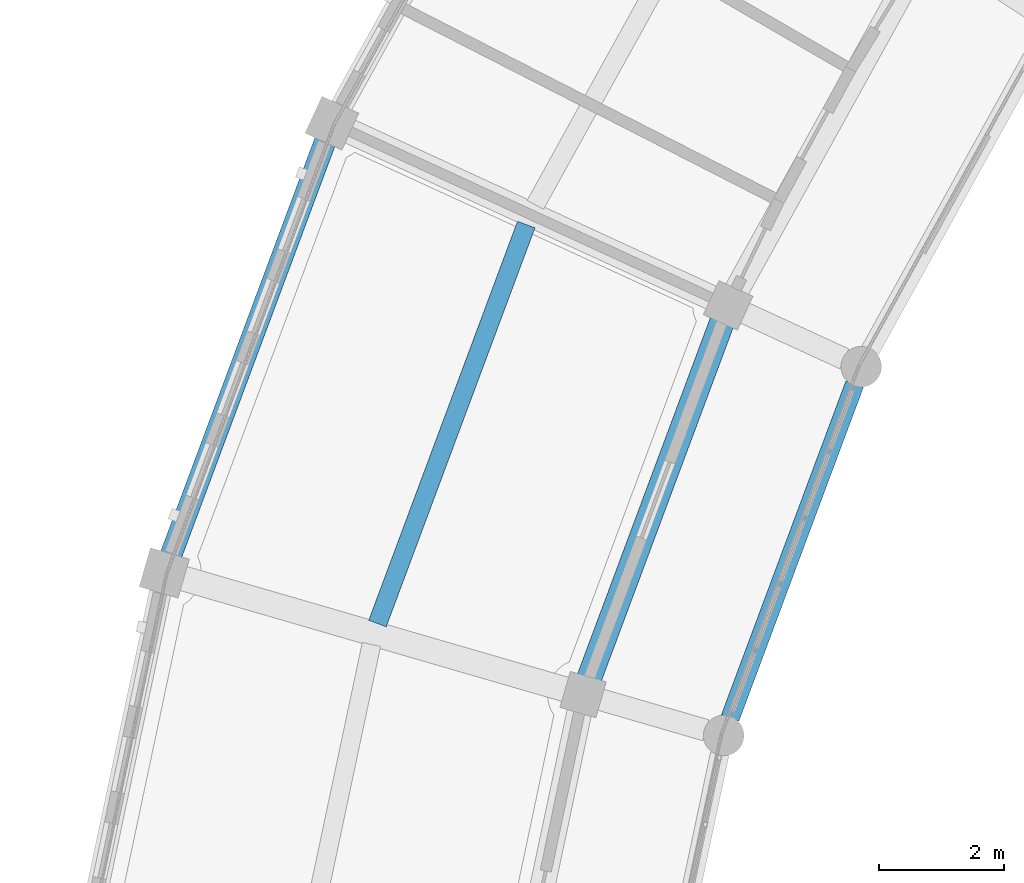
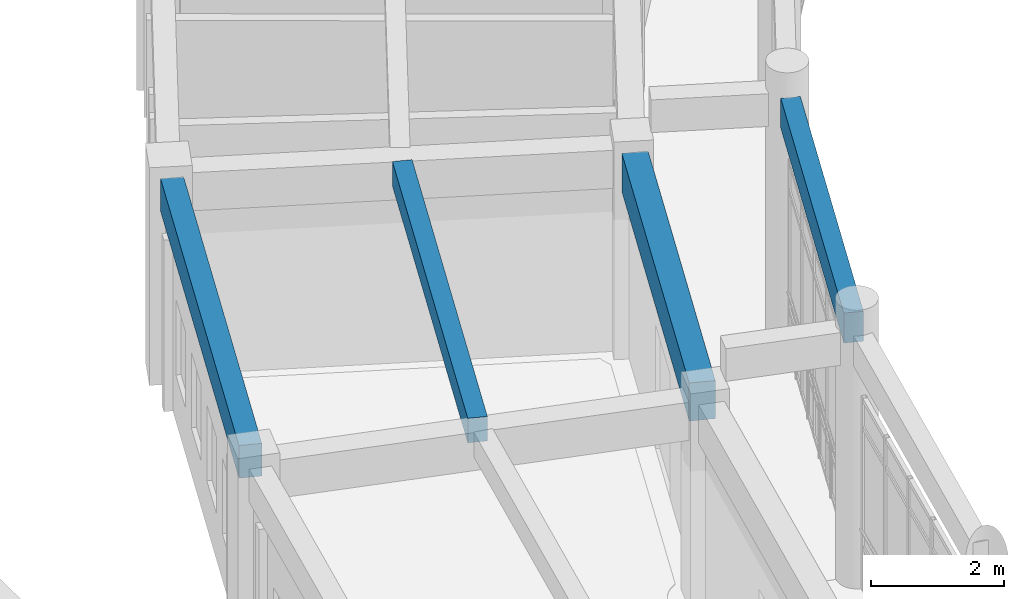
# One storey, part 60 of 159: 4 beams.
"""IFC4 building model written with IfcOpenShell, lengths in metres."""

from ifc_helpers import new_model, si_unit, direction, frame, origin, origin_2d, place, context, subcontext, project, spatial, rectangle, extrude, material, material_profile, profile_set, type_object, element, save


model = new_model("IFC4")

# Units and contexts
model_context = context("Model", 3, precision=1e-05, world=origin(), true_north=direction((0.0, 1.0)))
body_context = subcontext(model_context, "Body", "Model", "MODEL_VIEW")
ifc_project = project(units=[si_unit("LENGTHUNIT", "METRE"), si_unit("AREAUNIT", "SQUARE_METRE"), si_unit("VOLUMEUNIT", "CUBIC_METRE"), si_unit("PLANEANGLEUNIT", "RADIAN"), si_unit("MASSUNIT", "GRAM", prefix="KILO")], contexts=[model_context])

# Site, building, storey
site_placement = place(None, origin())
site = spatial("IfcSite", under=ifc_project, at=site_placement, CompositionType="ELEMENT")
building_placement = place(site_placement, origin())
building = spatial("IfcBuilding", under=site, at=building_placement, Name="Celadon Cloister-Ring School", CompositionType="ELEMENT")
storey_placement = place(building_placement, frame((0.0, 0.0, 4.5)))
storey = spatial("IfcBuildingStorey", under=building, at=storey_placement, Name="L01", CompositionType="ELEMENT", Elevation=4.5)

# Beams
ifc_material_1 = material(Name="Concrete C35/45", Category="concrete")
ifc_material_profile_1 = material_profile(ifc_material_1, rectangle(XDim=0.39990234375, YDim=0.699951171875, at=origin_2d()), Name="RC400X700")
ifc_profile_set_1 = profile_set([ifc_material_profile_1], Name="Concrete C35/45")
beam_type_1 = type_object("IfcBeamType", Name="GT-03", PredefinedType="USERDEFINED", material=ifc_profile_set_1)
beam_1_placement = place(storey_placement, frame((46.02001953125, 77.54296875, 3.429931640625), z_axis=(-0.349434130372, -0.936960932233, 0.0), x_axis=(0.936960932233, -0.349434130372, 0.0)))
element("IfcBeam", 1, at=beam_1_placement, inside=storey, type_object=beam_type_1, Name="Beam 0284", ObjectType="GIRDER", PredefinedType="USERDEFINED", context=body_context, shape_type="SweptSolid", body=[
    extrude(rectangle(XDim=0.39990234375, YDim=0.699951171875, at=origin_2d()), origin(), (0.0, 0.0, 1.0), 6.115478515625),
])
ifc_material_2 = material(Name="Concrete C35/45", Category="concrete")
ifc_material_profile_2 = material_profile(ifc_material_2, rectangle(XDim=0.300048828125, YDim=0.449951171875, at=origin_2d()), Name="RC300X450")
ifc_profile_set_2 = profile_set([ifc_material_profile_2], Name="Concrete C35/45")
beam_type_2 = type_object("IfcBeamType", Name="JT-01", PredefinedType="JOIST", material=ifc_profile_set_2)
beam_2_placement = place(storey_placement, frame((42.875, 79.09912109375, 3.554931640625), z_axis=(-0.349380854663, -0.936980799374, 0.0), x_axis=(0.936980799374, -0.349380854663, 0.0)))
element("IfcBeam", 2, at=beam_2_placement, inside=storey, type_object=beam_type_2, Name="Beam 0286", PredefinedType="JOIST", context=body_context, shape_type="SweptSolid", body=[
    extrude(rectangle(XDim=0.300048828125, YDim=0.449951171875, at=origin_2d()), origin(), (0.0, 0.0, 1.0), 6.834716796875),
])
ifc_material_3 = material(Name="Concrete C35/45", Category="concrete")
ifc_material_profile_3 = material_profile(ifc_material_3, rectangle(XDim=0.35009765625, YDim=0.60009765625, at=origin_2d()), Name="RC350X600")
ifc_profile_set_3 = profile_set([ifc_material_profile_3], Name="Concrete C35/45")
beam_type_3 = type_object("IfcBeamType", Name="SP-01", PredefinedType="SPANDREL", material=ifc_profile_set_3)
beam_3_placement = place(storey_placement, frame((39.65087890625, 80.445068359375, 3.47998046875), z_axis=(-0.34926584062, -0.937023677703, 0.0), x_axis=(0.937023677703, -0.34926584062, 0.0)))
element("IfcBeam", 3, at=beam_3_placement, inside=storey, type_object=beam_type_3, Name="Beam 0283", PredefinedType="SPANDREL", context=body_context, shape_type="SweptSolid", body=[
    extrude(rectangle(XDim=0.35009765625, YDim=0.60009765625, at=origin_2d()), origin(), (0.0, 0.0, 1.0), 7.103271484375),
])
ifc_material_4 = material(Name="Concrete C35/45", Category="concrete")
ifc_material_profile_4 = material_profile(ifc_material_4, rectangle(XDim=0.300048828125, YDim=0.550048828125, at=origin_2d()), Name="RC300X550")
ifc_profile_set_4 = profile_set([ifc_material_profile_4], Name="Concrete C35/45")
beam_type_4 = type_object("IfcBeamType", Name="SP-02", PredefinedType="SPANDREL", material=ifc_profile_set_4)
beam_4_placement = place(storey_placement, frame((48.14599609375, 76.5380859375, 4.375), z_axis=(-0.34939642525, -0.936974993275, 0.0), x_axis=(0.936974993275, -0.34939642525, 0.0)))
element("IfcBeam", 4, at=beam_4_placement, inside=storey, type_object=beam_type_4, Name="Beam 0285", PredefinedType="SPANDREL", context=body_context, shape_type="SweptSolid", body=[
    extrude(rectangle(XDim=0.300048828125, YDim=0.550048828125, at=origin_2d()), origin(), (0.0, 0.0, 1.0), 5.718505859375),
])

save(model, "model.ifc")
